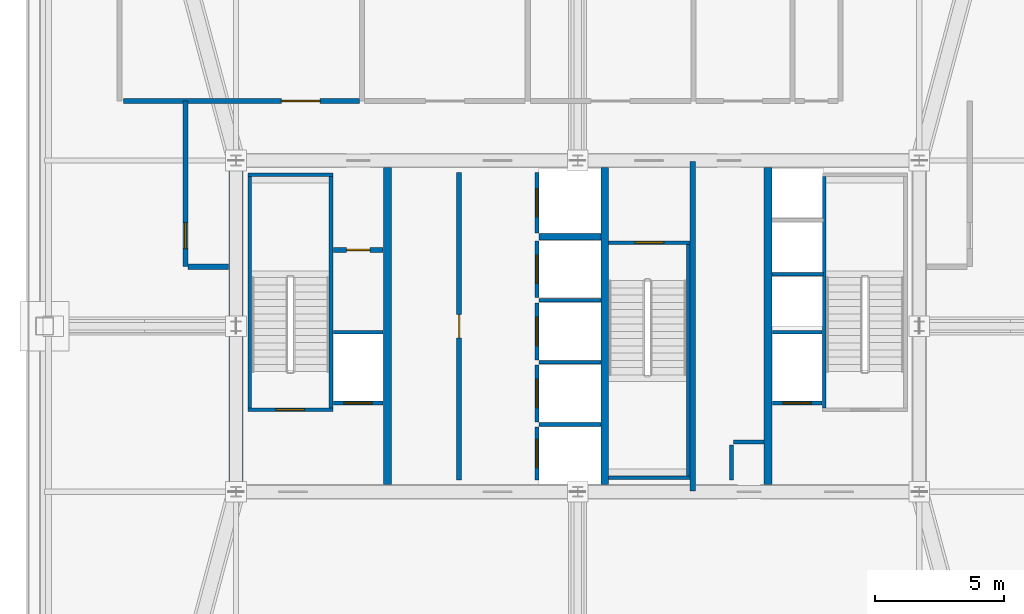
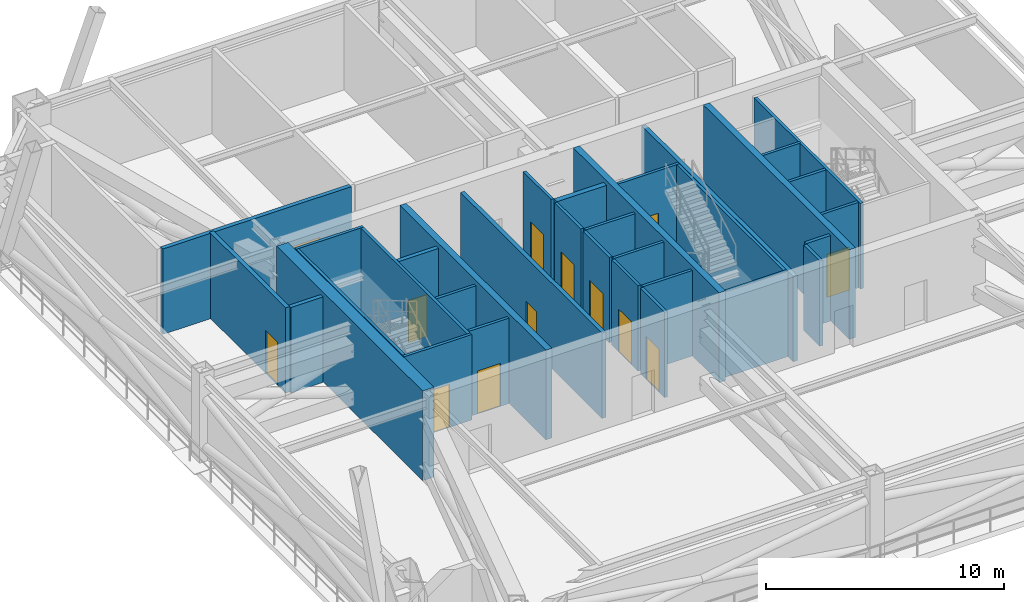
# One storey, part 4 of 9: 34 walls, 13 doors, 13 openings.
"""IFC4 building model written with IfcOpenShell, lengths in metres."""

import ifcopenshell
import ifcopenshell.guid

model = None  # the IFC model being written
_history = None  # IfcOwnerHistory: only IFC2X3 demands one
_inside = {}  # id of a spatial element -> (the spatial element, [elements in it])
_under = {}  # id of a project, library or spatial element -> (it, [spatial elements below it])
_declared = {}  # id of a project -> (the project, [libraries it declares])
_typed = {}  # id of a type object -> (the type object, [elements of that type])
_made_of = {}  # id of a material, layer set ... -> (it, [elements and type objects made of it])


def new_model(schema):
    """Start an empty IFC model of exactly this schema.

    Asked for "IFC4X3", IfcOpenShell would pick the latest addendum, in which some entities
    have other attributes; the version numbers below select the first issue.
    IFC2X3 requires an IfcOwnerHistory on every rooted entity: one is made here for all.
    """
    global model, _history
    if schema == "IFC4X3":
        model = ifcopenshell.file(schema_version=(4, 3, 0, 0))
    else:
        model = ifcopenshell.file(schema=schema)
    _inside.clear()
    _under.clear()
    _declared.clear()
    _typed.clear()
    _made_of.clear()
    _history = None
    if model.schema == "IFC2X3":
        org = make("IfcOrganization", Name="unknown")
        user = make(
            "IfcPersonAndOrganization",
            ThePerson=make("IfcPerson", FamilyName="unknown"),
            TheOrganization=org,
        )
        app = make(
            "IfcApplication",
            ApplicationDeveloper=org,
            Version="unknown",
            ApplicationFullName="unknown",
            ApplicationIdentifier="unknown",
        )
        _history = make(
            "IfcOwnerHistory",
            OwningUser=user,
            OwningApplication=app,
            ChangeAction="ADDED",
            CreationDate=0,
        )
    return model


def make(cls, **values):
    """One entity of the class cls with the attributes given. An attribute that is None is left unset."""
    return model.create_entity(
        cls, **{name: value for name, value in values.items() if value is not None}
    )


def rooted(cls, **values):
    """An entity with a GlobalId (a new one), such as an element, a storey or a relation."""
    return make(cls, GlobalId=ifcopenshell.guid.new(), OwnerHistory=_history, **values)


def si_unit(unit_type, name, prefix=None):
    """IfcSIUnit, for example si_unit("LENGTHUNIT", "METRE", prefix="MILLI")."""
    return make("IfcSIUnit", UnitType=unit_type, Prefix=prefix, Name=name)


def assignment(units):
    """IfcUnitAssignment: the units of a project."""
    return None if units is None else make("IfcUnitAssignment", Units=units)


def point(xyz):
    """IfcCartesianPoint."""
    return None if xyz is None else make("IfcCartesianPoint", Coordinates=xyz)


def direction(xyz):
    """IfcDirection."""
    return None if xyz is None else make("IfcDirection", DirectionRatios=xyz)


def frame(location, z_axis=None, x_axis=None):
    """IfcAxis2Placement3D, a coordinate frame: its origin and axes. An axis left out is left unset."""
    return make(
        "IfcAxis2Placement3D",
        Location=point(location),
        Axis=direction(z_axis),
        RefDirection=direction(x_axis),
    )


def frame_2d(location, x_axis=None):
    """IfcAxis2Placement2D, a coordinate frame in the plane: its origin and x axis."""
    return make(
        "IfcAxis2Placement2D", Location=point(location), RefDirection=direction(x_axis)
    )


def origin():
    """The frame at (0, 0, 0) with its axes left unset."""
    return frame((0.0, 0.0, 0.0))


def place(relative_to, where):
    """IfcLocalPlacement: puts the frame where relative to a parent placement (None: the world)."""
    return make(
        "IfcLocalPlacement", PlacementRelTo=relative_to, RelativePlacement=where
    )


def context(
    kind, dimensions, precision=None, world=None, true_north=None, identifier=None
):
    """IfcGeometricRepresentationContext, for example the 3D "Model" context."""
    return make(
        "IfcGeometricRepresentationContext",
        ContextIdentifier=identifier,
        ContextType=kind,
        CoordinateSpaceDimension=dimensions,
        Precision=precision,
        WorldCoordinateSystem=world,
        TrueNorth=true_north,
    )


def subcontext(parent, identifier, kind, view, scale=None):
    """IfcGeometricRepresentationSubContext, for example "Body" below "Model"."""
    return make(
        "IfcGeometricRepresentationSubContext",
        ContextIdentifier=identifier,
        ContextType=kind,
        ParentContext=parent,
        TargetScale=scale,
        TargetView=view,
    )


def project(units=None, contexts=None):
    """IfcProject with its units and contexts."""
    return rooted(
        "IfcProject",
        Name="project",
        RepresentationContexts=contexts,
        UnitsInContext=assignment(units),
    )


def spatial(cls, under=None, at=None, **own):
    """A site, building, storey or space (cls), placed at a placement, below another one or the project."""
    s = rooted(cls, ObjectPlacement=at, **own)
    if under is not None:
        _under.setdefault(under.id(), (under, []))[1].append(s)
    return s


def profile(cls, at=None, kind="AREA", **sizes):
    """A parametric profile (cls). Its sizes go by their IFC names, for example OverallWidth=200.0."""
    return make(cls, ProfileType=kind, Position=at, **sizes)


def rectangle(**sizes):
    """IfcRectangleProfileDef."""
    return profile("IfcRectangleProfileDef", **sizes)


def extrude(swept, where, along, depth):
    """IfcExtrudedAreaSolid: the profile swept, set in the frame where, extruded along a direction by depth."""
    return make(
        "IfcExtrudedAreaSolid",
        SweptArea=swept,
        Position=where,
        ExtrudedDirection=direction(along),
        Depth=depth,
    )


def shape(context_of_items, identifier, shape_type, items):
    """IfcShapeRepresentation: the items that make up one representation, for example the "Body"."""
    return make(
        "IfcShapeRepresentation",
        ContextOfItems=context_of_items,
        RepresentationIdentifier=identifier,
        RepresentationType=shape_type,
        Items=items,
    )


def source(mapping_origin, context_of_items, identifier, shape_type, items):
    """IfcRepresentationMap: a shape defined once, which mapped items show again and again."""
    return make(
        "IfcRepresentationMap",
        MappingOrigin=mapping_origin,
        MappedRepresentation=shape(context_of_items, identifier, shape_type, items),
    )


def transform(
    local_origin,
    x_axis=None,
    y_axis=None,
    z_axis=None,
    scale=None,
    scale2=None,
    scale3=None,
    uniform=True,
):
    """IfcCartesianTransformationOperator3D, or its non-uniform kind. x_axis, y_axis, z_axis: its Axis1, 2, 3."""
    if uniform:
        return make(
            "IfcCartesianTransformationOperator3D",
            Axis1=direction(x_axis),
            Axis2=direction(y_axis),
            LocalOrigin=point(local_origin),
            Scale=scale,
            Axis3=direction(z_axis),
        )
    return make(
        "IfcCartesianTransformationOperator3DnonUniform",
        Axis1=direction(x_axis),
        Axis2=direction(y_axis),
        LocalOrigin=point(local_origin),
        Scale=scale,
        Axis3=direction(z_axis),
        Scale2=scale2,
        Scale3=scale3,
    )


def mapped(mapping_source, mapping_target):
    """IfcMappedItem: shows the shape of a source again, moved by a transform."""
    return make(
        "IfcMappedItem", MappingSource=mapping_source, MappingTarget=mapping_target
    )


def material(Name=None, Category=None):
    """IfcMaterial."""
    return make("IfcMaterial", Name=Name, Category=Category)


def layer(
    of_material, thickness, ventilated=None, Name=None, Category=None, Priority=None
):
    """IfcMaterialLayer: one layer of a wall or slab, of a material (None: an air gap)."""
    return make(
        "IfcMaterialLayer",
        Material=of_material,
        LayerThickness=thickness,
        IsVentilated=ventilated,
        Name=Name,
        Category=Category,
        Priority=Priority,
    )


def layer_set(layers, Name=None):
    """IfcMaterialLayerSet."""
    return make("IfcMaterialLayerSet", MaterialLayers=layers, LayerSetName=Name)


def made_of(thing, what):
    """Note that an element or type object is made of a material, layer set ...; save() writes the relation."""
    if what is not None:
        _made_of.setdefault(what.id(), (what, []))[1].append(thing)
    return thing


def type_object(cls, material=None, **own):
    """A type object (cls), such as IfcWallType, which elements share."""
    return made_of(rooted(cls, **own), material)


def element(
    cls,
    number,
    at=None,
    inside=None,
    cuts=None,
    type_object=None,
    material=None,
    context=None,
    identifier="Body",
    shape_type=None,
    held_by="IfcProductDefinitionShape",
    body=None,
    shapes=None,
    **own,
):
    """One element of the class cls, such as IfcWall. Its Tag is "e" and its number.

    at: its placement. inside: the storey or other place that contains it. cuts: it is an
    opening in that element (IfcRelVoidsElement). A single representation is given by context,
    identifier, shape_type and body (its items); several are given by shapes. held_by: the class
    of the entity that holds the representations. save() writes the other relations.
    """
    e = rooted(cls, Tag="e%d" % number, ObjectPlacement=at, **own)
    if body is not None:
        shapes = [shape(context, identifier, shape_type, body)]
    if shapes is not None:
        e.Representation = make(held_by, Representations=shapes)
    if inside is not None:
        _inside.setdefault(inside.id(), (inside, []))[1].append(e)
    if cuts is not None:
        rooted(
            "IfcRelVoidsElement", RelatingBuildingElement=cuts, RelatedOpeningElement=e
        )
    if type_object is not None:
        _typed.setdefault(type_object.id(), (type_object, []))[1].append(e)
    return made_of(e, material)


def fill(opening, filler):
    """IfcRelFillsElement: the door or window that sits in an opening."""
    return rooted(
        "IfcRelFillsElement",
        RelatingOpeningElement=opening,
        RelatedBuildingElement=filler,
    )


def aggregate(whole, parts):
    """IfcRelAggregates: a whole, such as a stair, and the parts it consists of."""
    return rooted("IfcRelAggregates", RelatingObject=whole, RelatedObjects=parts)


def save(model, path):
    """Write the relations noted so far, then the file.

    IfcRelAggregates (storeys below a building ...), IfcRelContainedInSpatialStructure (elements
    in a storey), IfcRelDefinesByType, IfcRelAssociatesMaterial and IfcRelDeclares: one each for
    every whole, place, type object, material and project.
    """
    for whole, parts in _under.values():
        aggregate(whole, parts)
    for where, things in _inside.values():
        rooted(
            "IfcRelContainedInSpatialStructure",
            RelatedElements=things,
            RelatingStructure=where,
        )
    for kind, things in _typed.values():
        rooted("IfcRelDefinesByType", RelatedObjects=things, RelatingType=kind)
    for what, things in _made_of.values():
        rooted("IfcRelAssociatesMaterial", RelatedObjects=things, RelatingMaterial=what)
    for by, libraries in _declared.values():
        rooted("IfcRelDeclares", RelatingContext=by, RelatedDefinitions=libraries)
    model.write(path)


model = new_model("IFC4")

# Units and contexts
model_context = context("Model", 3, precision=1e-05, world=origin(), true_north=direction((0.0, 1.0)))
body_context = subcontext(model_context, "Body", "Model", "MODEL_VIEW")
ifc_project = project(units=[si_unit("LENGTHUNIT", "METRE"), si_unit("AREAUNIT", "SQUARE_METRE"), si_unit("VOLUMEUNIT", "CUBIC_METRE"), si_unit("PLANEANGLEUNIT", "RADIAN"), si_unit("MASSUNIT", "GRAM", prefix="KILO"), si_unit("THERMODYNAMICTEMPERATUREUNIT", "KELVIN"), si_unit("POWERUNIT", "WATT")], contexts=[model_context])

# Site, building, storey
site_placement = place(None, origin())
site = spatial("IfcSite", under=ifc_project, at=site_placement, CompositionType="ELEMENT")
building_placement = place(site_placement, origin())
building = spatial("IfcBuilding", under=site, at=building_placement, Name="Yuzanri Waterfront Tower", CompositionType="ELEMENT")
storey_placement = place(building_placement, frame((0.0, 0.0, 219.5)))
storey = spatial("IfcBuildingStorey", under=building, at=storey_placement, Name="L58", CompositionType="ELEMENT", Elevation=219.5)

# Wall, opening, door
ifc_material_1 = material(Name="Concrete C40", Category="concrete")
ifc_layer_1 = layer(ifc_material_1, 0.139892578125)
ifc_layer_set_1 = layer_set([ifc_layer_1], Name="Concrete C40")
wall_type_1 = type_object("IfcWallType", Name="Core Stair Liner and Hoistway Shaft Wall 140", PredefinedType="SOLIDWALL", material=ifc_layer_set_1)
wall_1_placement = place(storey_placement, frame((27.56005859375, 22.830078125, 0.0), z_axis=(0.0, 0.0, 1.0), x_axis=(1.0, 0.0, 0.0)))
wall_1 = element("IfcWall", 1, at=wall_1_placement, inside=storey, type_object=wall_type_1, Name="L58 Lift FL-01 Front Shaft Wall", PredefinedType="SOLIDWALL", context=body_context, shape_type="SweptSolid", body=[
    extrude(rectangle(XDim=1.919921875, YDim=0.139892578125, at=frame_2d((0.9599609375, 0.0))), origin(), (0.0, 0.0, 1.0), 4.3798828125),
])
opening_1_placement = place(wall_1_placement, frame((0.409912109375, 0.0, 0.0)))
opening_1 = element("IfcOpeningElement", 2, at=opening_1_placement, cuts=wall_1, Name="Opening LD-FL-01", PredefinedType="OPENING", context=body_context, shape_type="SweptSolid", body=[
    extrude(rectangle(XDim=1.10009765625, YDim=2.199951171875, at=frame_2d((0.550048828125, 1.10009765625))), frame((0.0, 0.0849609375, 0.0), z_axis=(0.0, -1.0, 0.0), x_axis=(1.0, 0.0, 0.0)), (0.0, 0.0, 1.0), 0.169677734375),
])
ifc_material_2 = material(Name="Brushed Bronze and Stainless Steel Cab", Category="steel")
door_type_1 = type_object("IfcDoorType", Name="Center-Parting Bronze Lift Landing Sliding Door 1100x2200", OperationType="NOTDEFINED", PredefinedType="DOOR", material=ifc_material_2)
shared_shape_1 = source(origin(), body_context, "Body", "SweptSolid", [
    extrude(rectangle(XDim=1.10009765625, YDim=2.199951171875, at=frame_2d((0.550048828125, 1.10009765625))), frame((0.0, 0.02490234375, 0.0), z_axis=(0.0, -1.0, 0.0), x_axis=(1.0, 0.0, 0.0)), (0.0, 0.0, 1.0), 0.050048828125),
])
door_1_placement = place(opening_1_placement, origin())
door_1 = element("IfcDoor", 3, at=door_1_placement, inside=storey, type_object=door_type_1, Name="L58 FL-01 Lift Landing Sliding Door", OperationType="SLIDING_TO_LEFT", OverallHeight=2.199951171875, OverallWidth=1.10009765625, PredefinedType="DOOR", context=body_context, shape_type="MappedRepresentation", body=[
    mapped(shared_shape_1, transform((0.0, 0.0, 0.0), scale=1.0)),
])
fill(opening_1, door_1)

wall_2_placement = place(storey_placement, frame((44.52001953125, 22.830078125, 0.0), z_axis=(0.0, 0.0, 1.0), x_axis=(1.0, 0.0, 0.0)))
wall_2 = element("IfcWall", 4, at=wall_2_placement, inside=storey, type_object=wall_type_1, Name="L58 Lift FL-02 Front Shaft Wall", PredefinedType="SOLIDWALL", context=body_context, shape_type="SweptSolid", body=[
    extrude(rectangle(XDim=1.919921875, YDim=0.139892578125, at=frame_2d((0.9599609375, 0.0))), origin(), (0.0, 0.0, 1.0), 4.3798828125),
])
opening_2_placement = place(wall_2_placement, frame((0.409912109375, 0.0, 0.0)))
opening_2 = element("IfcOpeningElement", 5, at=opening_2_placement, cuts=wall_2, Name="Opening LD-FL-02", PredefinedType="OPENING", context=body_context, shape_type="SweptSolid", body=[
    extrude(rectangle(XDim=1.10009765625, YDim=2.199951171875, at=frame_2d((0.550048828125, 1.10009765625))), frame((0.0, 0.0849609375, 0.0), z_axis=(0.0, -1.0, 0.0), x_axis=(1.0, 0.0, 0.0)), (0.0, 0.0, 1.0), 0.169677734375),
])
door_2_placement = place(opening_2_placement, origin())
door_2 = element("IfcDoor", 6, at=door_2_placement, inside=storey, type_object=door_type_1, Name="L58 FL-02 Lift Landing Sliding Door", OperationType="SLIDING_TO_RIGHT", OverallHeight=2.199951171875, OverallWidth=1.10009765625, PredefinedType="DOOR", context=body_context, shape_type="MappedRepresentation", body=[
    mapped(shared_shape_1, transform((0.0, 0.0, 0.0), scale=1.0)),
])
fill(opening_2, door_2)

wall_3_placement = place(storey_placement, frame((35.429931640625, 19.860107421875, 0.0), z_axis=(0.0, 0.0, 1.0), x_axis=(0.0, 1.0, 0.0)))
wall_3 = element("IfcWall", 7, at=wall_3_placement, inside=storey, type_object=wall_type_1, Name="L58 Lift PL-05 Front Shaft Wall", PredefinedType="SOLIDWALL", context=body_context, shape_type="SweptSolid", body=[
    extrude(rectangle(XDim=2.039794921875, YDim=0.139892578125, at=frame_2d((1.02001953125, 0.0))), origin(), (0.0, 0.0, 1.0), 4.3798828125),
])
opening_3_placement = place(wall_3_placement, frame((0.469970703125, 0.0, 0.0)))
opening_3 = element("IfcOpeningElement", 8, at=opening_3_placement, cuts=wall_3, Name="Opening LD-PL-05", PredefinedType="OPENING", context=body_context, shape_type="SweptSolid", body=[
    extrude(rectangle(XDim=1.10009765625, YDim=2.199951171875, at=frame_2d((0.550048828125, 1.10009765625))), frame((0.0, 0.0849609375, 0.0), z_axis=(0.0, -1.0, 0.0), x_axis=(1.0, 0.0, 0.0)), (0.0, 0.0, 1.0), 0.169677734375),
])
door_3_placement = place(opening_3_placement, origin())
door_3 = element("IfcDoor", 9, at=door_3_placement, inside=storey, type_object=door_type_1, Name="L58 PL-05 Lift Landing Sliding Door", OperationType="SLIDING_TO_RIGHT", OverallHeight=2.199951171875, OverallWidth=1.10009765625, PredefinedType="DOOR", context=body_context, shape_type="MappedRepresentation", body=[
    mapped(shared_shape_1, transform((0.0, 0.0, 0.0), scale=1.0)),
])
fill(opening_3, door_3)

wall_4_placement = place(storey_placement, frame((35.429931640625, 22.10009765625, 0.0), z_axis=(0.0, 0.0, 1.0), x_axis=(0.0, 1.0, 0.0)))
wall_4 = element("IfcWall", 10, at=wall_4_placement, inside=storey, type_object=wall_type_1, Name="L58 Lift PL-06 Front Shaft Wall", PredefinedType="SOLIDWALL", context=body_context, shape_type="SweptSolid", body=[
    extrude(rectangle(XDim=2.199951171875, YDim=0.139892578125, at=frame_2d((1.10009765625, 0.0))), origin(), (0.0, 0.0, 1.0), 4.3798828125),
])
opening_4_placement = place(wall_4_placement, frame((0.550048828125, 0.0, 0.0)))
opening_4 = element("IfcOpeningElement", 11, at=opening_4_placement, cuts=wall_4, Name="Opening LD-PL-06", PredefinedType="OPENING", context=body_context, shape_type="SweptSolid", body=[
    extrude(rectangle(XDim=1.10009765625, YDim=2.199951171875, at=frame_2d((0.550048828125, 1.10009765625))), frame((0.0, 0.0849609375, 0.0), z_axis=(0.0, -1.0, 0.0), x_axis=(1.0, 0.0, 0.0)), (0.0, 0.0, 1.0), 0.169677734375),
])
door_4_placement = place(opening_4_placement, origin())
door_4 = element("IfcDoor", 12, at=door_4_placement, inside=storey, type_object=door_type_1, Name="L58 PL-06 Lift Landing Sliding Door", OperationType="SLIDING_TO_LEFT", OverallHeight=2.199951171875, OverallWidth=1.10009765625, PredefinedType="DOOR", context=body_context, shape_type="MappedRepresentation", body=[
    mapped(shared_shape_1, transform((0.0, 0.0, 0.0), scale=1.0)),
])
fill(opening_4, door_4)

wall_5_placement = place(storey_placement, frame((35.429931640625, 24.5, 0.0), z_axis=(0.0, 0.0, 1.0), x_axis=(0.0, 1.0, 0.0)))
wall_5 = element("IfcWall", 13, at=wall_5_placement, inside=storey, type_object=wall_type_1, Name="L58 Lift PL-07 Front Shaft Wall", PredefinedType="SOLIDWALL", context=body_context, shape_type="SweptSolid", body=[
    extrude(rectangle(XDim=2.199951171875, YDim=0.139892578125, at=frame_2d((1.10009765625, 0.0))), origin(), (0.0, 0.0, 1.0), 4.3798828125),
])
opening_5_placement = place(wall_5_placement, frame((0.550048828125, 0.0, 0.0)))
opening_5 = element("IfcOpeningElement", 14, at=opening_5_placement, cuts=wall_5, Name="Opening LD-PL-07", PredefinedType="OPENING", context=body_context, shape_type="SweptSolid", body=[
    extrude(rectangle(XDim=1.10009765625, YDim=2.199951171875, at=frame_2d((0.550048828125, 1.10009765625))), frame((0.0, 0.0849609375, 0.0), z_axis=(0.0, -1.0, 0.0), x_axis=(1.0, 0.0, 0.0)), (0.0, 0.0, 1.0), 0.169677734375),
])
door_5_placement = place(opening_5_placement, origin())
door_5 = element("IfcDoor", 15, at=door_5_placement, inside=storey, type_object=door_type_1, Name="L58 PL-07 Lift Landing Sliding Door", OperationType="SLIDING_TO_RIGHT", OverallHeight=2.199951171875, OverallWidth=1.10009765625, PredefinedType="DOOR", context=body_context, shape_type="MappedRepresentation", body=[
    mapped(shared_shape_1, transform((0.0, 0.0, 0.0), scale=1.0)),
])
fill(opening_5, door_5)

wall_6_placement = place(storey_placement, frame((35.429931640625, 26.89990234375, 0.0), z_axis=(0.0, 0.0, 1.0), x_axis=(0.0, 1.0, 0.0)))
wall_6 = element("IfcWall", 16, at=wall_6_placement, inside=storey, type_object=wall_type_1, Name="L58 Lift PL-08 Front Shaft Wall", PredefinedType="SOLIDWALL", context=body_context, shape_type="SweptSolid", body=[
    extrude(rectangle(XDim=2.2001953125, YDim=0.139892578125, at=frame_2d((1.10009765625, 0.0))), origin(), (0.0, 0.0, 1.0), 4.3798828125),
])
opening_6_placement = place(wall_6_placement, frame((0.550048828125, 0.0, 0.0)))
opening_6 = element("IfcOpeningElement", 17, at=opening_6_placement, cuts=wall_6, Name="Opening LD-PL-08", PredefinedType="OPENING", context=body_context, shape_type="SweptSolid", body=[
    extrude(rectangle(XDim=1.10009765625, YDim=2.199951171875, at=frame_2d((0.550048828125, 1.10009765625))), frame((0.0, 0.0849609375, 0.0), z_axis=(0.0, -1.0, 0.0), x_axis=(1.0, 0.0, 0.0)), (0.0, 0.0, 1.0), 0.169677734375),
])
door_6_placement = place(opening_6_placement, origin())
door_6 = element("IfcDoor", 18, at=door_6_placement, inside=storey, type_object=door_type_1, Name="L58 PL-08 Lift Landing Sliding Door", OperationType="SLIDING_TO_LEFT", OverallHeight=2.199951171875, OverallWidth=1.10009765625, PredefinedType="DOOR", context=body_context, shape_type="MappedRepresentation", body=[
    mapped(shared_shape_1, transform((0.0, 0.0, 0.0), scale=1.0)),
])
fill(opening_6, door_6)

wall_7_placement = place(storey_placement, frame((35.429931640625, 29.39990234375, 0.0), z_axis=(0.0, 0.0, 1.0), x_axis=(0.0, 1.0, 0.0)))
wall_7 = element("IfcWall", 19, at=wall_7_placement, inside=storey, type_object=wall_type_1, Name="L58 Lift SL-02 Front Shaft Wall", PredefinedType="SOLIDWALL", context=body_context, shape_type="SweptSolid", body=[
    extrude(rectangle(XDim=2.340087890625, YDim=0.139892578125, at=frame_2d((1.169921875, 0.0))), origin(), (0.0, 0.0, 1.0), 4.3798828125),
])
opening_7_placement = place(wall_7_placement, frame((0.6201171875, 0.0, 0.0)))
opening_7 = element("IfcOpeningElement", 20, at=opening_7_placement, cuts=wall_7, Name="Opening LD-SL-02", PredefinedType="OPENING", context=body_context, shape_type="SweptSolid", body=[
    extrude(rectangle(XDim=1.10009765625, YDim=2.199951171875, at=frame_2d((0.550048828125, 1.10009765625))), frame((0.0, 0.0849609375, 0.0), z_axis=(0.0, -1.0, 0.0), x_axis=(1.0, 0.0, 0.0)), (0.0, 0.0, 1.0), 0.169677734375),
])
door_7_placement = place(opening_7_placement, origin())
door_7 = element("IfcDoor", 21, at=door_7_placement, inside=storey, type_object=door_type_1, Name="L58 SL-02 Lift Landing Sliding Door", OperationType="SLIDING_TO_RIGHT", OverallHeight=2.199951171875, OverallWidth=1.10009765625, PredefinedType="DOOR", context=body_context, shape_type="MappedRepresentation", body=[
    mapped(shared_shape_1, transform((0.0, 0.0, 0.0), scale=1.0)),
])
fill(opening_7, door_7)

wall_8_placement = place(storey_placement, frame((24.260009765625, 22.570068359375, 0.0), z_axis=(0.0, 0.0, 1.0), x_axis=(1.0, 0.0, 0.0)))
wall_8 = element("IfcWall", 22, at=wall_8_placement, inside=storey, type_object=wall_type_1, Name="L58 Shaft Wall STW-L58-ST-01-S", PredefinedType="SOLIDWALL", context=body_context, shape_type="SweptSolid", body=[
    extrude(rectangle(XDim=3.280029296875, YDim=0.139892578125, at=frame_2d((1.64013671875, 0.0))), origin(), (0.0, 0.0, 1.0), 4.3798828125),
])
opening_8_placement = place(wall_8_placement, frame((1.090087890625, 0.0, 0.0)))
opening_8 = element("IfcOpeningElement", 23, at=opening_8_placement, cuts=wall_8, Name="Opening FD-1100", PredefinedType="OPENING", context=body_context, shape_type="SweptSolid", body=[
    extrude(rectangle(XDim=1.10009765625, YDim=2.199951171875, at=frame_2d((0.550048828125, 1.10009765625))), frame((0.0, 0.0849609375, 0.0), z_axis=(0.0, -1.0, 0.0), x_axis=(1.0, 0.0, 0.0)), (0.0, 0.0, 1.0), 0.169677734375),
])
ifc_material_3 = material(Name="Painted Galvanized Fire Steel", Category="steel")
door_type_2 = type_object("IfcDoorType", Name="Smoke-Proof Stair and Lobby Fire Door 1100x2200", OperationType="NOTDEFINED", PredefinedType="DOOR", material=ifc_material_3)
shared_shape_2 = source(origin(), body_context, "Body", "SweptSolid", [
    extrude(rectangle(XDim=1.10009765625, YDim=2.199951171875, at=frame_2d((0.550048828125, 1.10009765625))), frame((0.0, 0.02490234375, 0.0), z_axis=(0.0, -1.0, 0.0), x_axis=(1.0, 0.0, 0.0)), (0.0, 0.0, 1.0), 0.050048828125),
])
door_8_placement = place(opening_8_placement, origin())
door_8 = element("IfcDoor", 24, at=door_8_placement, inside=storey, type_object=door_type_2, Name="L58 Stair ST-01 Fire Door", OperationType="SINGLE_SWING_LEFT", OverallHeight=2.199951171875, OverallWidth=1.10009765625, PredefinedType="DOOR", context=body_context, shape_type="MappedRepresentation", body=[
    mapped(shared_shape_2, transform((0.0, 0.0, 0.0), scale=1.0)),
])
fill(opening_8, door_8)

wall_9_placement = place(storey_placement, frame((38.199951171875, 29.030029296875, 0.0), z_axis=(0.0, 0.0, 1.0), x_axis=(1.0, 0.0, 0.0)))
wall_9 = element("IfcWall", 25, at=wall_9_placement, inside=storey, type_object=wall_type_1, Name="L58 Shaft Wall STW-L58-ST-03-N", PredefinedType="SOLIDWALL", context=body_context, shape_type="SweptSolid", body=[
    extrude(rectangle(XDim=3.14013671875, YDim=0.139892578125, at=frame_2d((1.570068359375, 0.0))), origin(), (0.0, 0.0, 1.0), 4.3798828125),
])
opening_9_placement = place(wall_9_placement, frame((1.02001953125, 0.0, 0.0)))
opening_9 = element("IfcOpeningElement", 26, at=opening_9_placement, cuts=wall_9, Name="Opening FD-1100", PredefinedType="OPENING", context=body_context, shape_type="SweptSolid", body=[
    extrude(rectangle(XDim=1.10009765625, YDim=2.199951171875, at=frame_2d((0.550048828125, 1.10009765625))), frame((0.0, 0.0849609375, 0.0), z_axis=(0.0, -1.0, 0.0), x_axis=(1.0, 0.0, 0.0)), (0.0, 0.0, 1.0), 0.169677734375),
])
door_9_placement = place(opening_9_placement, origin())
door_9 = element("IfcDoor", 27, at=door_9_placement, inside=storey, type_object=door_type_2, Name="L58 Stair ST-03 Fire Door", OperationType="SINGLE_SWING_LEFT", OverallHeight=2.199951171875, OverallWidth=1.10009765625, PredefinedType="DOOR", context=body_context, shape_type="MappedRepresentation", body=[
    mapped(shared_shape_2, transform((0.0, 0.0, 0.0), scale=1.0)),
])
fill(opening_9, door_9)

ifc_material_4 = material(Name="Autoclaved Aerated Concrete Blockwork", Category="masonry")
ifc_layer_2 = layer(ifc_material_4, 0.199951171875)
ifc_layer_set_2 = layer_set([ifc_layer_2], Name="Autoclaved Aerated Concrete Blockwork")
wall_type_2 = type_object("IfcWallType", Name="Corridor and Unit Party Fire Wall 200", PredefinedType="PARTITIONING", material=ifc_layer_set_2)
wall_10_placement = place(storey_placement, frame((27.56005859375, 28.75, 0.0), z_axis=(0.0, 0.0, 1.0), x_axis=(1.0, 0.0, 0.0)))
wall_10 = element("IfcWall", 28, at=wall_10_placement, inside=storey, type_object=wall_type_2, Name="L58 Partition CRW-L58-ERTR", PredefinedType="PARTITIONING", context=body_context, shape_type="SweptSolid", body=[
    extrude(rectangle(XDim=1.919921875, YDim=0.199951171875, at=frame_2d((0.9599609375, 0.0))), origin(), (0.0, 0.0, 1.0), 4.3798828125),
])
opening_10_placement = place(wall_10_placement, frame((0.510009765625, 0.0, 0.0)))
opening_10 = element("IfcOpeningElement", 29, at=opening_10_placement, cuts=wall_10, Name="Opening FD-0900", PredefinedType="OPENING", context=body_context, shape_type="SweptSolid", body=[
    extrude(rectangle(XDim=0.89990234375, YDim=2.14990234375, at=frame_2d((0.449951171875, 1.074951171875))), frame((0.0, 0.11474609375, 0.0), z_axis=(0.0, -1.0, 0.0), x_axis=(1.0, 0.0, 0.0)), (0.0, 0.0, 1.0), 0.229736328125),
])
ifc_material_5 = material(Name="Painted Galvanized Fire Steel", Category="steel")
door_type_3 = type_object("IfcDoorType", Name="Riser and Service Room Fire Door 900x2150", OperationType="NOTDEFINED", PredefinedType="DOOR", material=ifc_material_5)
shared_shape_3 = source(origin(), body_context, "Body", "SweptSolid", [
    extrude(rectangle(XDim=0.89990234375, YDim=2.14990234375, at=frame_2d((0.449951171875, 1.074951171875))), frame((0.0, 0.02490234375, 0.0), z_axis=(0.0, -1.0, 0.0), x_axis=(1.0, 0.0, 0.0)), (0.0, 0.0, 1.0), 0.050048828125),
])
door_10_placement = place(opening_10_placement, origin())
door_10 = element("IfcDoor", 30, at=door_10_placement, inside=storey, type_object=door_type_3, Name="L58 Electrical Riser Door", OperationType="SINGLE_SWING_RIGHT", OverallHeight=2.14990234375, OverallWidth=0.89990234375, PredefinedType="DOOR", context=body_context, shape_type="MappedRepresentation", body=[
    mapped(shared_shape_3, transform((0.0, 0.0, 0.0), scale=1.0)),
])
fill(opening_10, door_10)

wall_11_placement = place(storey_placement, frame((32.419921875, 19.860107421875, 0.0), z_axis=(0.0, 0.0, 1.0), x_axis=(0.0, 1.0, 0.0)))
wall_11 = element("IfcWall", 31, at=wall_11_placement, inside=storey, type_object=wall_type_2, Name="L58 Partition CRW-L58-B1R-1", PredefinedType="PARTITIONING", context=body_context, shape_type="SweptSolid", body=[
    extrude(rectangle(XDim=11.8798828125, YDim=0.199951171875, at=frame_2d((5.93994140625, 0.0))), origin(), (0.0, 0.0, 1.0), 4.3798828125),
])
opening_11_placement = place(wall_11_placement, frame((5.489990234375, 0.0, 0.0)))
opening_11 = element("IfcOpeningElement", 32, at=opening_11_placement, cuts=wall_11, Name="Opening FD-0900", PredefinedType="OPENING", context=body_context, shape_type="SweptSolid", body=[
    extrude(rectangle(XDim=0.89990234375, YDim=2.14990234375, at=frame_2d((0.449951171875, 1.074951171875))), frame((0.0, 0.11474609375, 0.0), z_axis=(0.0, -1.0, 0.0), x_axis=(1.0, 0.0, 0.0)), (0.0, 0.0, 1.0), 0.229736328125),
])
door_11_placement = place(opening_11_placement, origin())
door_11 = element("IfcDoor", 33, at=door_11_placement, inside=storey, type_object=door_type_3, Name="L58 Plant Room", OperationType="SINGLE_SWING_LEFT", OverallHeight=2.14990234375, OverallWidth=0.89990234375, PredefinedType="DOOR", context=body_context, shape_type="MappedRepresentation", body=[
    mapped(shared_shape_3, transform((0.0, 0.0, 0.0), scale=1.0)),
])
fill(opening_11, door_11)

wall_12_placement = place(storey_placement, frame((21.85009765625, 28.10009765625, 0.0), z_axis=(0.0, 0.0, 1.0), x_axis=(0.0, 1.0, 0.0)))
wall_12 = element("IfcWall", 34, at=wall_12_placement, inside=storey, type_object=wall_type_2, Name="L58 Partition RFW-L58-CW", PredefinedType="PARTITIONING", context=body_context, shape_type="SweptSolid", body=[
    extrude(rectangle(XDim=6.39990234375, YDim=0.199951171875, at=frame_2d((3.199951171875, 0.0))), origin(), (0.0, 0.0, 1.0), 4.3798828125),
])
opening_12_placement = place(wall_12_placement, frame((0.699951171875, 0.0, 0.0)))
opening_12 = element("IfcOpeningElement", 35, at=opening_12_placement, cuts=wall_12, Name="Opening TD-1000", PredefinedType="OPENING", context=body_context, shape_type="SweptSolid", body=[
    extrude(rectangle(XDim=1.0, YDim=2.199951171875, at=frame_2d((0.5, 1.10009765625))), frame((0.0, 0.11474609375, 0.0), z_axis=(0.0, -1.0, 0.0), x_axis=(1.0, 0.0, 0.0)), (0.0, 0.0, 1.0), 0.229736328125),
])
ifc_material_6 = material(Name="Anodized Architectural Bronze", Category="metal")
door_type_4 = type_object("IfcDoorType", Name="Anodized Bronze Refuge Deck Weatherproof Exit Door 1000x2200", OperationType="NOTDEFINED", PredefinedType="DOOR", material=ifc_material_6)
shared_shape_4 = source(origin(), body_context, "Body", "SweptSolid", [
    extrude(rectangle(XDim=1.0, YDim=2.199951171875, at=frame_2d((0.5, 1.10009765625))), frame((0.0, 0.02490234375, 0.0), z_axis=(0.0, -1.0, 0.0), x_axis=(1.0, 0.0, 0.0)), (0.0, 0.0, 1.0), 0.050048828125),
])
door_12_placement = place(opening_12_placement, origin())
door_12 = element("IfcDoor", 36, at=door_12_placement, inside=storey, type_object=door_type_4, Name="L58 West Refuge Deck Exit Door", OperationType="SINGLE_SWING_RIGHT", OverallHeight=2.199951171875, OverallWidth=1.0, PredefinedType="DOOR", context=body_context, shape_type="MappedRepresentation", body=[
    mapped(shared_shape_4, transform((0.0, 0.0, 0.0), scale=1.0)),
])
fill(opening_12, door_12)

wall_13_placement = place(storey_placement, frame((19.43994140625, 34.5, 0.0), z_axis=(0.0, 0.0, 1.0), x_axis=(1.0, 0.0, 0.0)))
wall_13 = element("IfcWall", 37, at=wall_13_placement, inside=storey, type_object=wall_type_2, Name="L58 Partition RFW-L58-017-S", PredefinedType="PARTITIONING", context=body_context, shape_type="SweptSolid", body=[
    extrude(rectangle(XDim=9.131103515625, YDim=0.199951171875, at=frame_2d((4.5654296875, 0.0))), origin(), (0.0, 0.0, 1.0), 4.3798828125),
])
opening_13_placement = place(wall_13_placement, frame((6.110107421875, 0.0, 0.0)))
opening_13 = element("IfcOpeningElement", 38, at=opening_13_placement, cuts=wall_13, Name="Opening FD-1500", PredefinedType="OPENING", context=body_context, shape_type="SweptSolid", body=[
    extrude(rectangle(XDim=1.5, YDim=2.300048828125, at=frame_2d((0.75, 1.14990234375))), frame((0.0, 0.11474609375, 0.0), z_axis=(0.0, -1.0, 0.0), x_axis=(1.0, 0.0, 0.0)), (0.0, 0.0, 1.0), 0.229736328125),
])
ifc_material_7 = material(Name="Painted Galvanized Fire Steel", Category="steel")
door_type_5 = type_object("IfcDoorType", Name="Plant and Ballroom Double Fire Door 1500x2300", OperationType="NOTDEFINED", PredefinedType="DOOR", material=ifc_material_7)
shared_shape_5 = source(origin(), body_context, "Body", "SweptSolid", [
    extrude(rectangle(XDim=1.5, YDim=2.300048828125, at=frame_2d((0.75, 1.14990234375))), frame((0.0, 0.02490234375, 0.0), z_axis=(0.0, -1.0, 0.0), x_axis=(1.0, 0.0, 0.0)), (0.0, 0.0, 1.0), 0.050048828125),
])
door_13_placement = place(opening_13_placement, origin())
door_13 = element("IfcDoor", 39, at=door_13_placement, inside=storey, type_object=door_type_5, Name="L58 Air-Handling Plant Room", OperationType="DOUBLE_DOOR_SINGLE_SWING", OverallHeight=2.300048828125, OverallWidth=1.5, PredefinedType="DOOR", context=body_context, shape_type="MappedRepresentation", body=[
    mapped(shared_shape_5, transform((0.0, 0.0, 0.0), scale=1.0)),
])
fill(opening_13, door_13)

# Walls
ifc_material_8 = material(Name="Concrete C50", Category="concrete")
ifc_layer_3 = layer(ifc_material_8, 0.550048828125)
ifc_layer_set_3 = layer_set([ifc_layer_3], Name="Concrete C50")
wall_type_3 = type_object("IfcWallType", Name="Concrete C50 Upper-Mid Zone Core Shear Wall 550", PredefinedType="SHEAR", material=ifc_layer_set_3)
shared_shape_6 = source(origin(), body_context, "Body", "SweptSolid", [
    extrude(rectangle(XDim=12.25, YDim=0.550048828125, at=frame_2d((6.125, 0.0))), origin(), (0.0, 0.0, 1.0), 4.60009765625),
])
wall_14_placement = place(storey_placement, frame((23.800048828125, 19.675048828125, 0.0), z_axis=(0.0, 0.0, 1.0), x_axis=(0.0, 1.0, 0.0)))
element("IfcWall", 40, at=wall_14_placement, inside=storey, type_object=wall_type_3, Name="L58 Core West Shear Wall", PredefinedType="SHEAR", context=body_context, shape_type="MappedRepresentation", body=[
    mapped(shared_shape_6, transform((0.0, 0.0, 0.0), scale=1.0)),
])
ifc_material_9 = material(Name="Concrete C50", Category="concrete")
ifc_layer_4 = layer(ifc_material_9, 0.300048828125)
ifc_layer_set_4 = layer_set([ifc_layer_4], Name="Concrete C50")
wall_type_4 = type_object("IfcWallType", Name="Concrete C50 Internal Core Shaft Structural Wall 300", PredefinedType="SOLIDWALL", material=ifc_layer_set_4)
shared_shape_7 = source(origin(), body_context, "Body", "SweptSolid", [
    extrude(rectangle(XDim=12.25, YDim=0.300048828125, at=frame_2d((6.125, 0.0))), origin(), (0.0, 0.0, 1.0), 4.60009765625),
])
for number, where, z_axis, x_axis, name in (
    (41, (29.64990234375, 19.675048828125, 0.0), (0.0, 0.0, 1.0), (0.0, 1.0, 0.0), "L58 Core Internal Structural Web Wall 1"),
    (42, (38.050048828125, 19.675048828125, 0.0), (0.0, 0.0, 1.0), (0.0, 1.0, 0.0), "L58 Core Internal Structural Web Wall 2"),
    (43, (44.35009765625, 19.675048828125, 0.0), (0.0, 0.0, 1.0), (0.0, 1.0, 0.0), "L58 Core Internal Structural Web Wall 3"),
):
    element("IfcWall", number, at=place(storey_placement, frame(where, z_axis=z_axis, x_axis=x_axis)), inside=storey, type_object=wall_type_4, Name=name, PredefinedType="SOLIDWALL", context=body_context, shape_type="MappedRepresentation", body=[
        mapped(shared_shape_7, transform((0.0, 0.0, 0.0), scale=1.0)),
    ])
shared_shape_8 = source(origin(), body_context, "Body", "SweptSolid", [
    extrude(rectangle(XDim=1.919921875, YDim=0.139892578125, at=frame_2d((0.9599609375, 0.0))), origin(), (0.0, 0.0, 1.0), 4.3798828125),
])
for number, where, z_axis, x_axis, name in (
    (44, (27.56005859375, 25.570068359375, 0.0), (0.0, 0.0, 1.0), (1.0, 0.0, 0.0), "L58 Lift FL-01 Back Shaft Wall"),
    (45, (44.52001953125, 25.570068359375, 0.0), (0.0, 0.0, 1.0), (1.0, 0.0, 0.0), "L58 Lift FL-02 Back Shaft Wall"),
):
    element("IfcWall", number, at=place(storey_placement, frame(where, z_axis=z_axis, x_axis=x_axis)), inside=storey, type_object=wall_type_1, Name=name, PredefinedType="SOLIDWALL", context=body_context, shape_type="MappedRepresentation", body=[
        mapped(shared_shape_8, transform((0.0, 0.0, 0.0), scale=1.0)),
    ])
shared_shape_9 = source(origin(), body_context, "Body", "SweptSolid", [
    extrude(rectangle(XDim=2.39990234375, YDim=0.139892578125, at=frame_2d((1.199951171875, 0.0))), origin(), (0.0, 0.0, 1.0), 4.3798828125),
])
for number, where, z_axis, x_axis, name in (
    (46, (35.5, 22.0, 0.0), (0.0, 0.0, 1.0), (1.0, 0.0, 0.0), "L58 Lift PL-05 Divider Wall"),
    (47, (35.5, 24.39990234375, 0.0), (0.0, 0.0, 1.0), (1.0, 0.0, 0.0), "L58 Lift PL-06 Divider Wall"),
    (48, (35.5, 26.800048828125, 0.0), (0.0, 0.0, 1.0), (1.0, 0.0, 0.0), "L58 Lift PL-07 Divider Wall"),
):
    element("IfcWall", number, at=place(storey_placement, frame(where, z_axis=z_axis, x_axis=x_axis)), inside=storey, type_object=wall_type_1, Name=name, PredefinedType="SOLIDWALL", context=body_context, shape_type="MappedRepresentation", body=[
        mapped(shared_shape_9, transform((0.0, 0.0, 0.0), scale=1.0)),
    ])
ifc_material_10 = material(Name="Concrete C40", Category="concrete")
ifc_layer_5 = layer(ifc_material_10, 0.25)
ifc_layer_set_5 = layer_set([ifc_layer_5], Name="Concrete C40")
wall_type_5 = type_object("IfcWallType", Name="Smoke-Proof Stair and Lift Shaft Wall 250", PredefinedType="SOLIDWALL", material=ifc_layer_set_5)
shared_shape_10 = source(origin(), body_context, "Body", "SweptSolid", [
    extrude(rectangle(XDim=2.39990234375, YDim=0.25, at=frame_2d((1.199951171875, 0.0))), origin(), (0.0, 0.0, 1.0), 4.3798828125),
])
wall_15_placement = place(storey_placement, frame((35.5, 29.25, 0.0), z_axis=(0.0, 0.0, 1.0), x_axis=(1.0, 0.0, 0.0)))
element("IfcWall", 49, at=wall_15_placement, inside=storey, type_object=wall_type_5, Name="L58 Lift SL-02 South Shaft Wall", PredefinedType="SOLIDWALL", context=body_context, shape_type="MappedRepresentation", body=[
    mapped(shared_shape_10, transform((0.0, 0.0, 0.0), scale=1.0)),
])
shared_shape_11 = source(origin(), body_context, "Body", "SweptSolid", [
    extrude(rectangle(XDim=2.0, YDim=0.139892578125, at=frame_2d((1.0, 0.0))), origin(), (0.0, 0.0, 1.0), 4.3798828125),
])
wall_16_placement = place(storey_placement, frame((44.5, 27.800048828125, 0.0), z_axis=(0.0, 0.0, 1.0), x_axis=(1.0, 0.0, 0.0)))
element("IfcWall", 50, at=wall_16_placement, inside=storey, type_object=wall_type_1, Name="L58 Lift PL-09 Divider Wall", PredefinedType="SOLIDWALL", context=body_context, shape_type="MappedRepresentation", body=[
    mapped(shared_shape_11, transform((0.0, 0.0, 0.0), scale=1.0)),
])
shared_shape_12 = source(origin(), body_context, "Body", "SweptSolid", [
    extrude(rectangle(XDim=3.280029296875, YDim=0.139892578125, at=frame_2d((1.64013671875, 0.0))), origin(), (0.0, 0.0, 1.0), 4.3798828125),
])
wall_17_placement = place(storey_placement, frame((24.260009765625, 31.64990234375, 0.0), z_axis=(0.0, 0.0, 1.0), x_axis=(1.0, 0.0, 0.0)))
element("IfcWall", 51, at=wall_17_placement, inside=storey, type_object=wall_type_1, Name="L58 Stair ST-01 North Shaft Wall", PredefinedType="SOLIDWALL", context=body_context, shape_type="MappedRepresentation", body=[
    mapped(shared_shape_12, transform((0.0, 0.0, 0.0), scale=1.0)),
])
shared_shape_13 = source(origin(), body_context, "Body", "SweptSolid", [
    extrude(rectangle(XDim=8.940185546875, YDim=0.139892578125, at=frame_2d((4.47021484375, 0.0))), origin(), (0.0, 0.0, 1.0), 4.3798828125),
])
for number, where, z_axis, x_axis, name in (
    (52, (24.330078125, 22.639892578125, 0.0), (0.0, 0.0, 1.0), (0.0, 1.0, 0.0), "L58 Stair ST-01 West Shaft Wall"),
    (53, (27.469970703125, 22.639892578125, 0.0), (0.0, 0.0, 1.0), (0.0, 1.0, 0.0), "L58 Stair ST-01 East Shaft Wall"),
    (54, (46.530029296875, 22.639892578125, 0.0), (0.0, 0.0, 1.0), (0.0, 1.0, 0.0), "L58 Stair ST-02 West Shaft Wall"),
):
    element("IfcWall", number, at=place(storey_placement, frame(where, z_axis=z_axis, x_axis=x_axis)), inside=storey, type_object=wall_type_1, Name=name, PredefinedType="SOLIDWALL", context=body_context, shape_type="MappedRepresentation", body=[
        mapped(shared_shape_13, transform((0.0, 0.0, 0.0), scale=1.0)),
    ])
shared_shape_14 = source(origin(), body_context, "Body", "SweptSolid", [
    extrude(rectangle(XDim=3.14013671875, YDim=0.139892578125, at=frame_2d((1.570068359375, 0.0))), origin(), (0.0, 0.0, 1.0), 4.3798828125),
])
wall_18_placement = place(storey_placement, frame((38.199951171875, 19.949951171875, 0.0), z_axis=(0.0, 0.0, 1.0), x_axis=(1.0, 0.0, 0.0)))
element("IfcWall", 55, at=wall_18_placement, inside=storey, type_object=wall_type_1, Name="L58 Stair ST-03 South Shaft Wall", PredefinedType="SOLIDWALL", context=body_context, shape_type="MappedRepresentation", body=[
    mapped(shared_shape_14, transform((0.0, 0.0, 0.0), scale=1.0)),
])
shared_shape_15 = source(origin(), body_context, "Body", "SweptSolid", [
    extrude(rectangle(XDim=8.93994140625, YDim=0.139892578125, at=frame_2d((4.469970703125, 0.0))), origin(), (0.0, 0.0, 1.0), 4.3798828125),
])
wall_19_placement = place(storey_placement, frame((41.27001953125, 20.02001953125, 0.0), z_axis=(0.0, 0.0, 1.0), x_axis=(0.0, 1.0, 0.0)))
element("IfcWall", 56, at=wall_19_placement, inside=storey, type_object=wall_type_1, Name="L58 Stair ST-03 East Shaft Wall", PredefinedType="SOLIDWALL", context=body_context, shape_type="MappedRepresentation", body=[
    mapped(shared_shape_15, transform((0.0, 0.0, 0.0), scale=1.0)),
])
ifc_material_11 = material(Name="Gypsum Fireboard Acoustic Stud Wall", Category="gypsum")
ifc_layer_6 = layer(ifc_material_11, 0.159912109375)
ifc_layer_set_6 = layer_set([ifc_layer_6], Name="Gypsum Fireboard Acoustic Stud Wall")
wall_type_6 = type_object("IfcWallType", Name="Acoustic Suite Demising Partition 160", PredefinedType="PARTITIONING", material=ifc_layer_set_6)
shared_shape_16 = source(origin(), body_context, "Body", "SweptSolid", [
    extrude(rectangle(XDim=1.33984375, YDim=0.159912109375, at=frame_2d((0.669921875, 0.0))), origin(), (0.0, 0.0, 1.0), 4.3798828125),
])
wall_20_placement = place(storey_placement, frame((42.949951171875, 19.860107421875, 0.0), z_axis=(0.0, 0.0, 1.0), x_axis=(0.0, 1.0, 0.0)))
element("IfcWall", 57, at=wall_20_placement, inside=storey, type_object=wall_type_6, Name="L58 East Wet Riser West Wall", PredefinedType="PARTITIONING", context=body_context, shape_type="MappedRepresentation", body=[
    mapped(shared_shape_16, transform((0.0, 0.0, 0.0), scale=1.0)),
])
shared_shape_17 = source(origin(), body_context, "Body", "SweptSolid", [
    extrude(rectangle(XDim=1.169921875, YDim=0.159912109375, at=frame_2d((0.5849609375, 0.0))), origin(), (0.0, 0.0, 1.0), 4.3798828125),
])
wall_21_placement = place(storey_placement, frame((43.030029296875, 21.320068359375, 0.0), z_axis=(0.0, 0.0, 1.0), x_axis=(1.0, 0.0, 0.0)))
element("IfcWall", 58, at=wall_21_placement, inside=storey, type_object=wall_type_6, Name="L58 East Wet Riser North Wall", PredefinedType="PARTITIONING", context=body_context, shape_type="MappedRepresentation", body=[
    mapped(shared_shape_17, transform((0.0, 0.0, 0.0), scale=1.0)),
])
shared_shape_18 = source(origin(), body_context, "Body", "SweptSolid", [
    extrude(rectangle(XDim=12.719970703125, YDim=0.199951171875, at=frame_2d((6.35986328125, 0.0))), origin(), (0.0, 0.0, 1.0), 4.3798828125),
])
wall_22_placement = place(storey_placement, frame((41.449951171875, 19.43994140625, 0.0), z_axis=(0.0, 0.0, 1.0), x_axis=(0.0, 1.0, 0.0)))
element("IfcWall", 59, at=wall_22_placement, inside=storey, type_object=wall_type_2, Name="L58 Core BOH West Wall 1", PredefinedType="PARTITIONING", context=body_context, shape_type="MappedRepresentation", body=[
    mapped(shared_shape_18, transform((0.0, 0.0, 0.0), scale=1.0)),
])
shared_shape_19 = source(origin(), body_context, "Body", "SweptSolid", [
    extrude(rectangle(XDim=1.554931640625, YDim=0.199951171875, at=frame_2d((0.77734375, 0.0))), origin(), (0.0, 0.0, 1.0), 4.3798828125),
])
wall_23_placement = place(storey_placement, frame((21.949951171875, 28.10009765625, 0.0), z_axis=(0.0, 0.0, 1.0), x_axis=(1.0, 0.0, 0.0)))
element("IfcWall", 60, at=wall_23_placement, inside=storey, type_object=wall_type_2, Name="L58 West Refuge Vestibule South Wall", PredefinedType="PARTITIONING", context=body_context, shape_type="MappedRepresentation", body=[
    mapped(shared_shape_19, transform((0.0, 0.0, 0.0), scale=1.0)),
])

save(model, "model.ifc")
